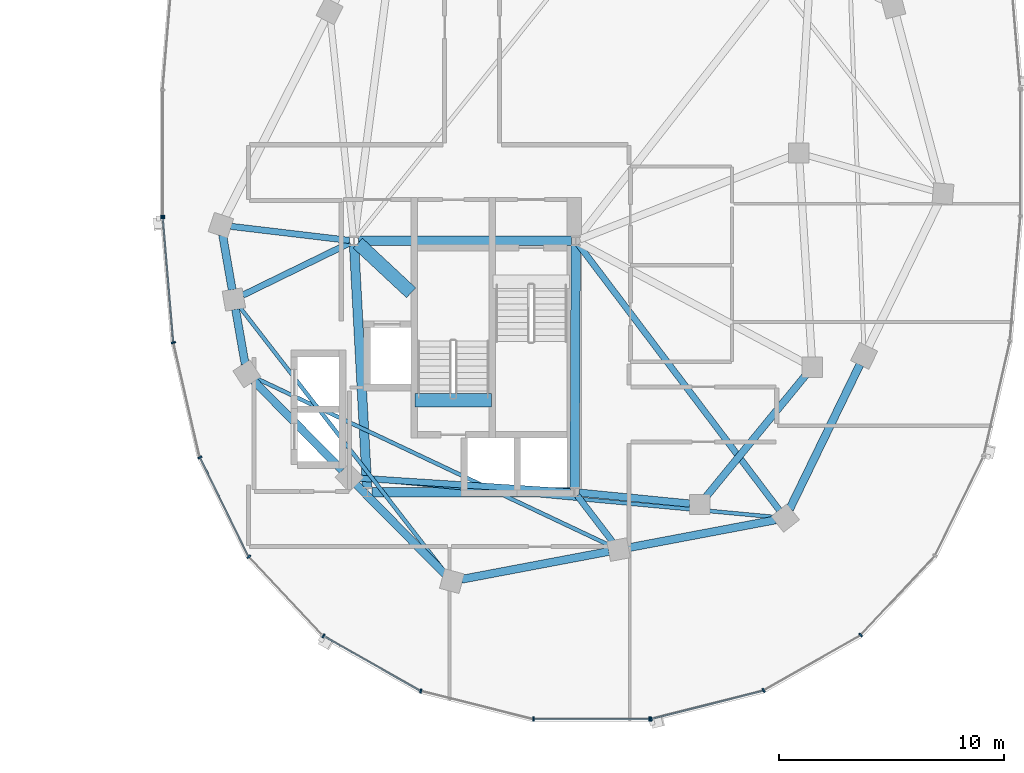
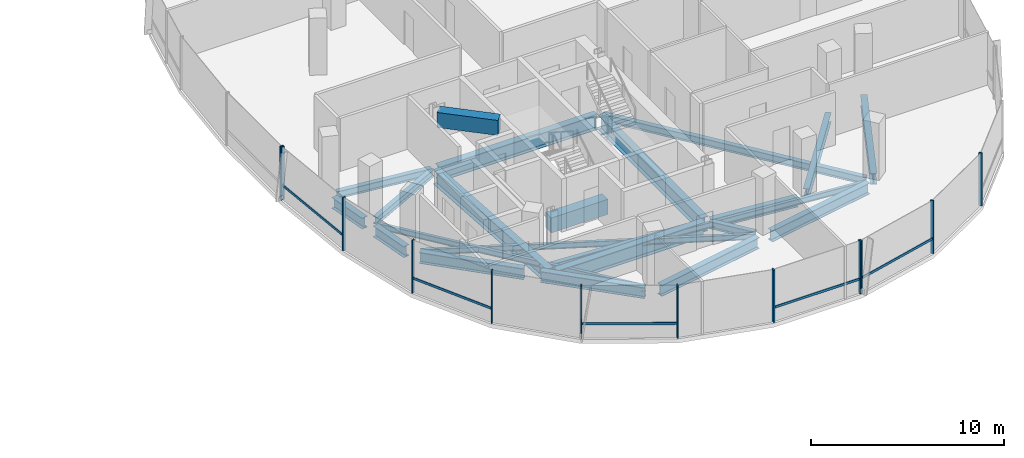
# One storey, part 8 of 25: 23 beams, 17 members, 3 elements without a shape of their own.
"""IFC4 building model written with IfcOpenShell, lengths in metres."""

from ifc_helpers import new_model, si_unit, direction, frame, origin, origin_2d, place, context, subcontext, project, spatial, rectangle, i_section, extrude, material, material_profile, profile_set, type_object, element, aggregate, save


model = new_model("IFC4")

# Units and contexts
model_context = context("Model", 3, precision=1e-05, world=origin(), true_north=direction((0.0, 1.0)))
body_context = subcontext(model_context, "Body", "Model", "MODEL_VIEW")
ifc_project = project(units=[si_unit("LENGTHUNIT", "METRE"), si_unit("AREAUNIT", "SQUARE_METRE"), si_unit("VOLUMEUNIT", "CUBIC_METRE"), si_unit("PLANEANGLEUNIT", "RADIAN"), si_unit("MASSUNIT", "GRAM", prefix="KILO"), si_unit("THERMODYNAMICTEMPERATUREUNIT", "KELVIN"), si_unit("POWERUNIT", "WATT")], contexts=[model_context])

# Site, building, storey
site_placement = place(None, origin())
site = spatial("IfcSite", under=ifc_project, at=site_placement, CompositionType="ELEMENT")
building_placement = place(site_placement, origin())
building = spatial("IfcBuilding", under=site, at=building_placement, Name="Cundina Bronze Exchange", CompositionType="ELEMENT")
storey_placement = place(building_placement, frame((0.0, 0.0, 213.39990234375)))
storey = spatial("IfcBuildingStorey", under=building, at=storey_placement, Name="L56", CompositionType="ELEMENT", Elevation=213.39990234375)

# Beams
ifc_material_1 = material(Name="Concrete C60/75", Category="concrete")
ifc_material_profile_1 = material_profile(ifc_material_1, rectangle(XDim=0.60009765625, YDim=0.949951171875, at=origin_2d()), Name="RC600X950", Category="concrete")
ifc_profile_set_1 = profile_set([ifc_material_profile_1], Name="Concrete C60/75")
beam_type_1 = type_object("IfcBeamType", Name="BM-COUP-RC950", PredefinedType="LINTEL", material=ifc_profile_set_1)
beam_1_placement = place(storey_placement, frame((24.159912109375, -10.97998046875, -0.474853515625), z_axis=(1.0, 0.0, 0.0), x_axis=(0.0, 1.0, 0.0)))
element("IfcBeam", 1, at=beam_1_placement, inside=storey, type_object=beam_type_1, Name="L56 Stair E2 Landing Header Beam", PredefinedType="LINTEL", context=body_context, shape_type="SweptSolid", body=[
    extrude(rectangle(XDim=0.60009765625, YDim=0.949951171875, at=origin_2d()), origin(), (0.0, 0.0, 1.0), 3.400146484375),
])
beam_2_placement = place(storey_placement, frame((21.6298828125, -4.0, 2.864990234375), z_axis=(0.731490439815, -0.681851696822, 0.0), x_axis=(0.681851696822, 0.731490439815, 0.0)))
element("IfcBeam", 2, at=beam_2_placement, inside=storey, type_object=beam_type_1, Name="L56 E Core Shear Coupling Lintel Beam", PredefinedType="LINTEL", context=body_context, shape_type="SweptSolid", body=[
    extrude(rectangle(XDim=0.60009765625, YDim=0.949951171875, at=origin_2d()), origin(), (0.0, 0.0, 1.0), 3.226318359375),
])
ifc_material_2 = material(Name="Steel ASTM A992 Grade 50", Category="steel")
ifc_material_profile_2 = material_profile(ifc_material_2, i_section(OverallWidth=0.280029296875, OverallDepth=0.462890625, WebThickness=0.0107421875, FlangeThickness=0.017333984375, FilletRadius=0.011962890625, at=origin_2d()), Name="W18X76", Category="steel")
ifc_profile_set_2 = profile_set([ifc_material_profile_2], Name="Steel ASTM A992 Grade 50")
beam_type_2 = type_object("IfcBeamType", Name="BM-FLR-W18A", PredefinedType="BEAM", material=ifc_profile_set_2)
beam_3_placement = place(storey_placement, frame((21.25537109375, -3.876953125, -0.491455078125), z_axis=(-0.993036786722, 0.117804669761, 0.0), x_axis=(-0.117804669761, -0.993036786722, 0.0)))
element("IfcBeam", 3, at=beam_3_placement, inside=storey, type_object=beam_type_2, Name="L56 Leg E Chordal Floor Beam 00", PredefinedType="BEAM", context=body_context, shape_type="SweptSolid", body=[
    extrude(i_section(OverallWidth=0.280029296875, OverallDepth=0.462890625, WebThickness=0.0107421875, FlangeThickness=0.017333984375, FilletRadius=0.011962890625, at=origin_2d()), origin(), (0.0, 0.0, 1.0), 5.307373046875),
])
beam_4_placement = place(storey_placement, frame((21.27392578125, -3.986083984375, -0.491455078125), z_axis=(-0.898613202677, -0.438741737214, 0.0), x_axis=(0.438741737214, -0.898613202677, 0.0)))
element("IfcBeam", 4, at=beam_4_placement, inside=storey, type_object=beam_type_2, Name="L56 Leg E Chordal Floor Beam 01", PredefinedType="BEAM", context=body_context, shape_type="SweptSolid", body=[
    extrude(i_section(OverallWidth=0.280029296875, OverallDepth=0.462890625, WebThickness=0.0107421875, FlangeThickness=0.017333984375, FilletRadius=0.011962890625, at=origin_2d()), origin(), (0.0, 0.0, 1.0), 5.2919921875),
])
beam_5_placement = place(storey_placement, frame((31.054443359375, -15.037353515625, -0.491455078125), z_axis=(-0.997894145252, 0.064863509559, 0.0), x_axis=(-0.064863509559, -0.997894145252, 0.0)))
element("IfcBeam", 5, at=beam_5_placement, inside=storey, type_object=beam_type_2, Name="L56 Leg E Chordal Floor Beam 03", PredefinedType="BEAM", context=body_context, shape_type="SweptSolid", body=[
    extrude(i_section(OverallWidth=0.280029296875, OverallDepth=0.462890625, WebThickness=0.0107421875, FlangeThickness=0.017333984375, FilletRadius=0.011962890625, at=origin_2d()), origin(), (0.0, 0.0, 1.0), 9.38720703125),
])
beam_6_placement = place(storey_placement, frame((31.369140625, -15.205810546875, -0.491455078125), z_axis=(0.60740437517, -0.794392802727, 0.0), x_axis=(0.794392802727, 0.60740437517, 0.0)))
element("IfcBeam", 6, at=beam_6_placement, inside=storey, type_object=beam_type_2, Name="L56 Leg E Chordal Floor Beam 05", PredefinedType="BEAM", context=body_context, shape_type="SweptSolid", body=[
    extrude(i_section(OverallWidth=0.280029296875, OverallDepth=0.462890625, WebThickness=0.0107421875, FlangeThickness=0.017333984375, FilletRadius=0.011962890625, at=origin_2d()), origin(), (0.0, 0.0, 1.0), 2.575927734375),
])
beam_7_placement = place(storey_placement, frame((31.418212890625, -4.056396484375, -0.491455078125), z_axis=(0.603104943786, -0.797661849897, 0.0), x_axis=(0.797661849897, 0.603104943786, 0.0)))
element("IfcBeam", 7, at=beam_7_placement, inside=storey, type_object=beam_type_2, Name="L56 Leg E Chordal Floor Beam 06", PredefinedType="BEAM", context=body_context, shape_type="SweptSolid", body=[
    extrude(i_section(OverallWidth=0.280029296875, OverallDepth=0.462890625, WebThickness=0.0107421875, FlangeThickness=0.017333984375, FilletRadius=0.011962890625, at=origin_2d()), origin(), (0.0, 0.0, 1.0), 14.785888671875),
])
ifc_material_profile_3 = material_profile(ifc_material_2, i_section(OverallWidth=0.172119140625, OverallDepth=0.35791015625, WebThickness=0.0078125, FlangeThickness=0.01318359375, FilletRadius=0.010009765625, at=origin_2d()), Name="W14X38", Category="steel")
ifc_profile_set_3 = profile_set([ifc_material_profile_3], Name="Steel ASTM A992 Grade 50")
beam_type_3 = type_object("IfcBeamType", Name="BM-JST-W14", PredefinedType="JOIST", material=ifc_profile_set_3)
beam_8_placement = place(storey_placement, frame((16.39306640625, -6.846435546875, -0.43896484375), z_axis=(0.612085793291, -0.790791364174, 0.0), x_axis=(0.790791364174, 0.612085793291, 0.0)))
element("IfcBeam", 8, at=beam_8_placement, inside=storey, type_object=beam_type_3, Name="L56 Leg E Lobe Floor Joist 01-04", PredefinedType="JOIST", context=body_context, shape_type="SweptSolid", body=[
    extrude(i_section(OverallWidth=0.172119140625, OverallDepth=0.35791015625, WebThickness=0.0078125, FlangeThickness=0.01318359375, FilletRadius=0.010009765625, at=origin_2d()), origin(), (0.0, 0.0, 1.0), 14.9306640625),
])
beam_9_placement = place(storey_placement, frame((17.095947265625, -9.9873046875, -0.43896484375), z_axis=(0.904073747204, -0.427376484632, 0.0), x_axis=(0.427376484632, 0.904073747204, 0.0)))
element("IfcBeam", 9, at=beam_9_placement, inside=storey, type_object=beam_type_3, Name="L56 Leg E Lobe Floor Joist 02-05", PredefinedType="JOIST", context=body_context, shape_type="SweptSolid", body=[
    extrude(i_section(OverallWidth=0.172119140625, OverallDepth=0.35791015625, WebThickness=0.0078125, FlangeThickness=0.01318359375, FilletRadius=0.010009765625, at=origin_2d()), origin(), (0.0, 0.0, 1.0), 17.374755859375),
])
beam_10_placement = place(storey_placement, frame((21.68603515625, -14.440673828125, -0.43896484375), z_axis=(0.9957017803, -0.092617302415, 0.0), x_axis=(0.092617302415, 0.9957017803, 0.0)))
element("IfcBeam", 10, at=beam_10_placement, inside=storey, type_object=beam_type_3, Name="L56 Leg E Lobe Floor Joist 03-06", PredefinedType="JOIST", context=body_context, shape_type="SweptSolid", body=[
    extrude(i_section(OverallWidth=0.172119140625, OverallDepth=0.35791015625, WebThickness=0.0078125, FlangeThickness=0.01318359375, FilletRadius=0.010009765625, at=origin_2d()), origin(), (0.0, 0.0, 1.0), 18.5576171875),
])
ifc_material_profile_4 = material_profile(ifc_material_2, i_section(OverallWidth=0.324951171875, OverallDepth=0.615966796875, WebThickness=0.013916015625, FlangeThickness=0.021484375, FilletRadius=0.01611328125, at=origin_2d()), Name="W24X117", Category="steel")
ifc_profile_set_4 = profile_set([ifc_material_profile_4], Name="Steel ASTM A992 Grade 50")
beam_type_4 = type_object("IfcBeamType", Name="BM-RING-W24", PredefinedType="USERDEFINED", material=ifc_profile_set_4)
beam_11_placement = place(storey_placement, frame((31.445068359375, -15.0693359375, -0.56787109375), z_axis=(0.995123854478, -0.09863323096, 0.0), x_axis=(0.09863323096, 0.995123854478, 0.0)))
element("IfcBeam", 11, at=beam_11_placement, inside=storey, type_object=beam_type_4, Name="L56 E Inner Structural Ring Girder 01", ObjectType="GIRDER", PredefinedType="USERDEFINED", context=body_context, shape_type="SweptSolid", body=[
    extrude(i_section(OverallWidth=0.324951171875, OverallDepth=0.615966796875, WebThickness=0.013916015625, FlangeThickness=0.021484375, FilletRadius=0.01611328125, at=origin_2d()), origin(), (0.0, 0.0, 1.0), 4.943115234375),
])
beam_12_placement = place(storey_placement, frame((37.07763671875, -15.26123046875, -0.56787109375), z_axis=(0.633912590175, 0.77340469873, 0.0), x_axis=(-0.77340469873, 0.633912590175, 0.0)))
element("IfcBeam", 12, at=beam_12_placement, inside=storey, type_object=beam_type_4, Name="L56 E Inner Structural Ring Girder 02", ObjectType="GIRDER", PredefinedType="USERDEFINED", context=body_context, shape_type="SweptSolid", body=[
    extrude(i_section(OverallWidth=0.324951171875, OverallDepth=0.615966796875, WebThickness=0.013916015625, FlangeThickness=0.021484375, FilletRadius=0.01611328125, at=origin_2d()), origin(), (0.0, 0.0, 1.0), 7.01123046875),
])
ifc_material_profile_5 = material_profile(ifc_material_2, i_section(OverallWidth=0.35498046875, OverallDepth=0.695068359375, WebThickness=0.015380859375, FlangeThickness=0.02490234375, FilletRadius=0.01806640625, at=origin_2d()), Name="W27X146", Category="steel")
ifc_profile_set_5 = profile_set([ifc_material_profile_5], Name="Steel ASTM A992 Grade 50")
beam_type_5 = type_object("IfcBeamType", Name="BM-RING-W27", PredefinedType="USERDEFINED", material=ifc_profile_set_5)
for number, where, z_axis, x_axis, name in (
    (13, (15.625244140625, -3.631591796875, -0.607421875), (0.171628556628, -0.985161732179, 0.0), (0.985161732179, 0.171628556628, 0.0), "L56 E Perimeter Ring Girder 00"),
    (14, (16.2001953125, -6.931396484375, -0.607421875), (0.171628556628, -0.985161732179, 0.0), (0.985161732179, 0.171628556628, 0.0), "L56 E Perimeter Ring Girder 01"),
):
    element("IfcBeam", number, at=place(storey_placement, frame(where, z_axis=z_axis, x_axis=x_axis)), inside=storey, type_object=beam_type_5, Name=name, ObjectType="GIRDER", PredefinedType="USERDEFINED", context=body_context, shape_type="SweptSolid", body=[
        extrude(i_section(OverallWidth=0.35498046875, OverallDepth=0.695068359375, WebThickness=0.015380859375, FlangeThickness=0.02490234375, FilletRadius=0.01806640625, at=origin_2d()), origin(), (0.0, 0.0, 1.0), 2.4736328125),
    ])
for number, where, z_axis, x_axis, name in (
    (15, (17.008056640625, -10.111328125, -0.607421875), (0.703211928763, -0.710980297368, 0.0), (0.710980297368, 0.703211928763, 0.0), "L56 E Perimeter Ring Girder 02"),
    (16, (21.55810546875, -14.71142578125, -0.607421875), (0.703211928763, -0.710980297368, 0.0), (0.710980297368, 0.703211928763, 0.0), "L56 E Perimeter Ring Girder 03"),
):
    element("IfcBeam", number, at=place(storey_placement, frame(where, z_axis=z_axis, x_axis=x_axis)), inside=storey, type_object=beam_type_5, Name=name, ObjectType="GIRDER", PredefinedType="USERDEFINED", context=body_context, shape_type="SweptSolid", body=[
        extrude(i_section(OverallWidth=0.35498046875, OverallDepth=0.695068359375, WebThickness=0.015380859375, FlangeThickness=0.02490234375, FilletRadius=0.01806640625, at=origin_2d()), origin(), (0.0, 0.0, 1.0), 5.593994140625),
    ])
beam_13_placement = place(storey_placement, frame((26.23046875, -18.918701171875, -0.607421875), z_axis=(0.982565174657, 0.185918470175, 0.0), x_axis=(-0.185918470175, 0.982565174657, 0.0)))
element("IfcBeam", 17, at=beam_13_placement, inside=storey, type_object=beam_type_5, Name="L56 E Perimeter Ring Girder 04", ObjectType="GIRDER", PredefinedType="USERDEFINED", context=body_context, shape_type="SweptSolid", body=[
    extrude(i_section(OverallWidth=0.35498046875, OverallDepth=0.695068359375, WebThickness=0.015380859375, FlangeThickness=0.02490234375, FilletRadius=0.01806640625, at=origin_2d()), origin(), (0.0, 0.0, 1.0), 6.655029296875),
])
beam_14_placement = place(storey_placement, frame((33.63037109375, -17.5185546875, -0.607421875), z_axis=(0.982573143022, 0.185876353022, 0.0), x_axis=(-0.185876353022, 0.982573143022, 0.0)))
element("IfcBeam", 18, at=beam_14_placement, inside=storey, type_object=beam_type_5, Name="L56 E Perimeter Ring Girder 05", ObjectType="GIRDER", PredefinedType="USERDEFINED", context=body_context, shape_type="SweptSolid", body=[
    extrude(i_section(OverallWidth=0.35498046875, OverallDepth=0.695068359375, WebThickness=0.015380859375, FlangeThickness=0.02490234375, FilletRadius=0.01806640625, at=origin_2d()), origin(), (0.0, 0.0, 1.0), 6.6552734375),
])
beam_15_placement = place(storey_placement, frame((40.79150390625, -15.80615234375, -0.607421875), z_axis=(0.437173087764, 0.89937739094, 0.0), x_axis=(-0.89937739094, 0.437173087764, 0.0)))
element("IfcBeam", 19, at=beam_15_placement, inside=storey, type_object=beam_type_5, Name="L56 E Perimeter Ring Girder 06", ObjectType="GIRDER", PredefinedType="USERDEFINED", context=body_context, shape_type="SweptSolid", body=[
    extrude(i_section(OverallWidth=0.35498046875, OverallDepth=0.695068359375, WebThickness=0.015380859375, FlangeThickness=0.02490234375, FilletRadius=0.01806640625, at=origin_2d()), origin(), (0.0, 0.0, 1.0), 7.1298828125),
])
ifc_material_profile_6 = material_profile(ifc_material_2, i_section(OverallWidth=0.41796875, OverallDepth=0.927001953125, WebThickness=0.019287109375, FlangeThickness=0.031982421875, FilletRadius=0.02392578125, at=origin_2d()), Name="W36X231", Category="steel")
ifc_profile_set_6 = profile_set([ifc_material_profile_6], Name="Steel ASTM A992 Grade 50")
beam_type_6 = type_object("IfcBeamType", Name="BM-WRN-W36B", PredefinedType="USERDEFINED", material=ifc_profile_set_6)
beam_16_placement = place(storey_placement, frame((31.10400390625, -3.89990234375, -0.723388671875), z_axis=(-1.0, 0.0, 0.0), x_axis=(0.0, -1.0, 0.0)))
element("IfcBeam", 20, at=beam_16_placement, inside=storey, type_object=beam_type_6, Name="L56 E Core Perimeter Tie Girder 1", ObjectType="GIRDER", PredefinedType="USERDEFINED", context=body_context, shape_type="SweptSolid", body=[
    extrude(i_section(OverallWidth=0.41796875, OverallDepth=0.927001953125, WebThickness=0.019287109375, FlangeThickness=0.031982421875, FilletRadius=0.02392578125, at=origin_2d()), origin(), (0.0, 0.0, 1.0), 9.4580078125),
])
beam_17_placement = place(storey_placement, frame((21.46044921875, -4.095703125, -0.723388671875), z_axis=(0.053749317644, -0.998554460634, 0.0), x_axis=(0.998554460634, 0.053749317644, 0.0)))
element("IfcBeam", 21, at=beam_17_placement, inside=storey, type_object=beam_type_6, Name="L56 E Core Perimeter Tie Girder 2", ObjectType="GIRDER", PredefinedType="USERDEFINED", context=body_context, shape_type="SweptSolid", body=[
    extrude(i_section(OverallWidth=0.41796875, OverallDepth=0.927001953125, WebThickness=0.019287109375, FlangeThickness=0.031982421875, FilletRadius=0.02392578125, at=origin_2d()), origin(), (0.0, 0.0, 1.0), 10.774169921875),
])
beam_18_placement = place(storey_placement, frame((22.24609375, -15.050048828125, -0.723388671875), z_axis=(1.0, 0.0, 0.0), x_axis=(0.0, 1.0, 0.0)))
element("IfcBeam", 22, at=beam_18_placement, inside=storey, type_object=beam_type_6, Name="L56 E Core Perimeter Tie Girder 3", ObjectType="GIRDER", PredefinedType="USERDEFINED", context=body_context, shape_type="SweptSolid", body=[
    extrude(i_section(OverallWidth=0.41796875, OverallDepth=0.927001953125, WebThickness=0.019287109375, FlangeThickness=0.031982421875, FilletRadius=0.02392578125, at=origin_2d()), origin(), (0.0, 0.0, 1.0), 8.807861328125),
])
beam_19_placement = place(storey_placement, frame((31.2509765625, -14.85400390625, -0.723388671875), z_axis=(0.004470623654, 0.999990006712, 0.0), x_axis=(-0.999990006712, 0.004470623654, 0.0)))
element("IfcBeam", 23, at=beam_19_placement, inside=storey, type_object=beam_type_6, Name="L56 E Core Perimeter Tie Girder 4", ObjectType="GIRDER", PredefinedType="USERDEFINED", context=body_context, shape_type="SweptSolid", body=[
    extrude(i_section(OverallWidth=0.41796875, OverallDepth=0.927001953125, WebThickness=0.019287109375, FlangeThickness=0.031982421875, FilletRadius=0.02392578125, at=origin_2d()), origin(), (0.0, 0.0, 1.0), 10.758056640625),
])

# Curtain wall, member
ifc_material_3 = material(Name="Anodised Bronze Aluminium 6063-T6", Category="aluminium")
curtain_wall_type = type_object("IfcCurtainWallType", Name="CWS-UPP-OFF", PredefinedType="NOTDEFINED", material=ifc_material_3)
curtain_wall_1_placement = place(storey_placement, origin())
curtain_wall_1 = element("IfcCurtainWall", 24, at=curtain_wall_1_placement, inside=storey, type_object=curtain_wall_type, Name="L56 CW-05 Curtain Wall Run CWR-L56-E2", PredefinedType="NOTDEFINED")
ifc_material_profile_7 = material_profile(ifc_material_3, rectangle(XDim=0.070068359375, YDim=0.18994140625, at=origin_2d()), Name="AL70X190", Category="aluminium")
ifc_profile_set_7 = profile_set([ifc_material_profile_7], Name="Anodised Bronze Aluminium 6063-T6")
member_type_1 = type_object("IfcMemberType", Name="CWM-MUL-190", PredefinedType="MULLION", material=ifc_profile_set_7)
member_1_placement = place(storey_placement, frame((12.966064453125, -2.794921875, 0.0), z_axis=(0.0, 0.0, 1.0), x_axis=(0.0, -1.0, 0.0)))
member_1 = element("IfcMember", 25, at=member_1_placement, type_object=member_type_1, Name="CW-05 End Mullion", PredefinedType="MULLION", context=body_context, shape_type="SweptSolid", body=[
    extrude(rectangle(XDim=0.070068359375, YDim=0.18994140625, at=origin_2d()), origin(), (0.0, 0.0, 1.0), 3.340087890625),
])
aggregate(curtain_wall_1, [member_1])

# Curtain wall, members
curtain_wall_2_placement = place(storey_placement, origin())
curtain_wall_2 = element("IfcCurtainWall", 26, at=curtain_wall_2_placement, inside=storey, type_object=curtain_wall_type, Name="L56 CW-05 Curtain Wall Run CWR-L56-E3", PredefinedType="NOTDEFINED")
member_2_placement = place(storey_placement, frame((12.9697265625, -2.88330078125, 0.0), z_axis=(0.0, 0.0, 1.0), x_axis=(0.083677843332, -0.99649285925, 0.0)))
member_2 = element("IfcMember", 27, at=member_2_placement, type_object=member_type_1, Name="CW-05 Mullion 1", PredefinedType="MULLION", context=body_context, shape_type="SweptSolid", body=[
    extrude(rectangle(XDim=0.070068359375, YDim=0.18994140625, at=origin_2d()), origin(), (0.0, 0.0, 1.0), 3.340087890625),
])
member_3_placement = place(storey_placement, frame((13.43994140625, -8.4111328125, 0.0), z_axis=(0.0, 0.0, 1.0), x_axis=(0.223250116011, -0.974761194191, 0.0)))
member_3 = element("IfcMember", 28, at=member_3_placement, type_object=member_type_1, Name="CW-05 Mullion 2", PredefinedType="MULLION", context=body_context, shape_type="SweptSolid", body=[
    extrude(rectangle(XDim=0.070068359375, YDim=0.18994140625, at=origin_2d()), origin(), (0.0, 0.0, 1.0), 3.340087890625),
])
member_4_placement = place(storey_placement, frame((14.61572265625, -13.50732421875, 0.0), z_axis=(0.0, 0.0, 1.0), x_axis=(0.440566004113, -0.897720221461, 0.0)))
member_4 = element("IfcMember", 29, at=member_4_placement, type_object=member_type_1, Name="CW-05 Mullion 3", PredefinedType="MULLION", context=body_context, shape_type="SweptSolid", body=[
    extrude(rectangle(XDim=0.070068359375, YDim=0.18994140625, at=origin_2d()), origin(), (0.0, 0.0, 1.0), 3.340087890625),
])
member_5_placement = place(storey_placement, frame((16.790283203125, -17.91796875, 0.0), z_axis=(0.0, 0.0, 1.0), x_axis=(0.684292606175, -0.729207535023, 0.0)))
member_5 = element("IfcMember", 30, at=member_5_placement, type_object=member_type_1, Name="CW-05 Mullion 4", PredefinedType="MULLION", context=body_context, shape_type="SweptSolid", body=[
    extrude(rectangle(XDim=0.070068359375, YDim=0.18994140625, at=origin_2d()), origin(), (0.0, 0.0, 1.0), 3.340087890625),
])
member_6_placement = place(storey_placement, frame((20.100341796875, -21.43115234375, 0.0), z_axis=(0.0, 0.0, 1.0), x_axis=(0.86958112538, -0.493790103568, 0.0)))
member_6 = element("IfcMember", 31, at=member_6_placement, type_object=member_type_1, Name="CW-05 Mullion 5", PredefinedType="MULLION", context=body_context, shape_type="SweptSolid", body=[
    extrude(rectangle(XDim=0.070068359375, YDim=0.18994140625, at=origin_2d()), origin(), (0.0, 0.0, 1.0), 3.340087890625),
])
member_7_placement = place(storey_placement, frame((24.422607421875, -23.87548828125, 0.0), z_axis=(0.0, 0.0, 1.0), x_axis=(0.969744325821, -0.244122802168, 0.0)))
member_7 = element("IfcMember", 32, at=member_7_placement, type_object=member_type_1, Name="CW-05 Mullion 6", PredefinedType="MULLION", context=body_context, shape_type="SweptSolid", body=[
    extrude(rectangle(XDim=0.070068359375, YDim=0.18994140625, at=origin_2d()), origin(), (0.0, 0.0, 1.0), 3.340087890625),
])
member_8_placement = place(storey_placement, frame((29.419921875, -25.125, 0.0), z_axis=(0.0, 0.0, 1.0), x_axis=(1.0, 0.0, 0.0)))
member_8 = element("IfcMember", 33, at=member_8_placement, type_object=member_type_1, Name="CW-05 Mullion 7", PredefinedType="MULLION", context=body_context, shape_type="SweptSolid", body=[
    extrude(rectangle(XDim=0.070068359375, YDim=0.18994140625, at=origin_2d()), origin(), (0.0, 0.0, 1.0), 3.340087890625),
])
member_9_placement = place(storey_placement, frame((34.580078125, -25.125, 0.0), z_axis=(0.0, 0.0, 1.0), x_axis=(1.0, 0.0, 0.0)))
member_9 = element("IfcMember", 34, at=member_9_placement, type_object=member_type_1, Name="CW-05 End Mullion", PredefinedType="MULLION", context=body_context, shape_type="SweptSolid", body=[
    extrude(rectangle(XDim=0.070068359375, YDim=0.18994140625, at=origin_2d()), origin(), (0.0, 0.0, 1.0), 3.340087890625),
])

curtain_wall_3_placement = place(storey_placement, origin())
curtain_wall_3 = element("IfcCurtainWall", 35, at=curtain_wall_3_placement, inside=storey, type_object=curtain_wall_type, Name="L56 CW-05 Curtain Wall Run CWR-L56-E4", PredefinedType="NOTDEFINED")
member_10_placement = place(storey_placement, frame((34.6484375, -25.116455078125, 0.0), z_axis=(0.0, 0.0, 1.0), x_axis=(0.969744325821, 0.244122802168, 0.0)))
member_10 = element("IfcMember", 36, at=member_10_placement, type_object=member_type_1, Name="CW-05 Mullion 1", PredefinedType="MULLION", context=body_context, shape_type="SweptSolid", body=[
    extrude(rectangle(XDim=0.070068359375, YDim=0.18994140625, at=origin_2d()), origin(), (0.0, 0.0, 1.0), 3.340087890625),
])
member_11_placement = place(storey_placement, frame((39.638916015625, -23.850830078125, 0.0), z_axis=(0.0, 0.0, 1.0), x_axis=(0.86958112538, 0.493790103568, 0.0)))
member_11 = element("IfcMember", 37, at=member_11_placement, type_object=member_type_1, Name="CW-05 Mullion 2", PredefinedType="MULLION", context=body_context, shape_type="SweptSolid", body=[
    extrude(rectangle(XDim=0.070068359375, YDim=0.18994140625, at=origin_2d()), origin(), (0.0, 0.0, 1.0), 3.340087890625),
])
member_12_placement = place(storey_placement, frame((43.94873046875, -21.392578125, 0.0), z_axis=(0.0, 0.0, 1.0), x_axis=(0.684292606175, 0.729207535023, 0.0)))
member_12 = element("IfcMember", 38, at=member_12_placement, type_object=member_type_1, Name="CW-05 Mullion 3", PredefinedType="MULLION", context=body_context, shape_type="SweptSolid", body=[
    extrude(rectangle(XDim=0.070068359375, YDim=0.18994140625, at=origin_2d()), origin(), (0.0, 0.0, 1.0), 3.340087890625),
])

# Member
ifc_material_profile_8 = material_profile(ifc_material_3, rectangle(XDim=0.06494140625, YDim=0.14990234375, at=origin_2d()), Name="AL65X150", Category="aluminium")
ifc_profile_set_8 = profile_set([ifc_material_profile_8], Name="Anodised Bronze Aluminium 6063-T6")
member_type_2 = type_object("IfcMemberType", Name="CWM-TRN-150", PredefinedType="USERDEFINED", material=ifc_profile_set_8)
member_13_placement = place(storey_placement, frame((12.972900390625, -2.921630859375, 0.920166015625), z_axis=(0.083740331158, -0.996487610027, 0.0), x_axis=(0.996487610027, 0.083740331158, 0.0)))
member_13 = element("IfcMember", 39, at=member_13_placement, type_object=member_type_2, Name="CW-05 Spandrel Transom 1", ObjectType="TRANSOM", PredefinedType="USERDEFINED", context=body_context, shape_type="SweptSolid", body=[
    extrude(rectangle(XDim=0.06494140625, YDim=0.14990234375, at=origin_2d()), origin(), (0.0, 0.0, 1.0), 5.466552734375),
])

member_14_placement = place(storey_placement, frame((14.6328125, -13.5419921875, 0.920166015625), z_axis=(0.440483110889, -0.897760897467, 0.0), x_axis=(0.897760897467, 0.440483110889, 0.0)))
member_14 = element("IfcMember", 40, at=member_14_placement, type_object=member_type_2, Name="CW-05 Spandrel Transom 3", ObjectType="TRANSOM", PredefinedType="USERDEFINED", context=body_context, shape_type="SweptSolid", body=[
    extrude(rectangle(XDim=0.06494140625, YDim=0.14990234375, at=origin_2d()), origin(), (0.0, 0.0, 1.0), 4.855224609375),
])

member_15_placement = place(storey_placement, frame((20.1337890625, -21.4501953125, 0.920166015625), z_axis=(0.869573748083, -0.493803095013, 0.0), x_axis=(0.493803095013, 0.869573748083, 0.0)))
member_15 = element("IfcMember", 41, at=member_15_placement, type_object=member_type_2, Name="CW-05 Spandrel Transom 5", ObjectType="TRANSOM", PredefinedType="USERDEFINED", context=body_context, shape_type="SweptSolid", body=[
    extrude(rectangle(XDim=0.06494140625, YDim=0.14990234375, at=origin_2d()), origin(), (0.0, 0.0, 1.0), 4.900146484375),
])

member_16_placement = place(storey_placement, frame((29.45849609375, -25.125, 0.920166015625), z_axis=(1.0, 0.0, 0.0), x_axis=(0.0, 1.0, 0.0)))
member_16 = element("IfcMember", 42, at=member_16_placement, type_object=member_type_2, Name="CW-05 Spandrel Transom 7", ObjectType="TRANSOM", PredefinedType="USERDEFINED", context=body_context, shape_type="SweptSolid", body=[
    extrude(rectangle(XDim=0.06494140625, YDim=0.14990234375, at=origin_2d()), origin(), (0.0, 0.0, 1.0), 5.0830078125),
])

aggregate(curtain_wall_2, [member_2, member_13, member_3, member_4, member_14, member_5, member_6, member_15, member_7, member_8, member_9, member_16])

member_17_placement = place(storey_placement, frame((34.685791015625, -25.107177734375, 0.920166015625), z_axis=(0.969725738797, 0.244196624699, 0.0), x_axis=(-0.244196624699, 0.969725738797, 0.0)))
member_17 = element("IfcMember", 43, at=member_17_placement, type_object=member_type_2, Name="CW-05 Spandrel Transom 1", ObjectType="TRANSOM", PredefinedType="USERDEFINED", context=body_context, shape_type="SweptSolid", body=[
    extrude(rectangle(XDim=0.06494140625, YDim=0.14990234375, at=origin_2d()), origin(), (0.0, 0.0, 1.0), 5.082763671875),
])

aggregate(curtain_wall_3, [member_10, member_17, member_11, member_12])

save(model, "model.ifc")
